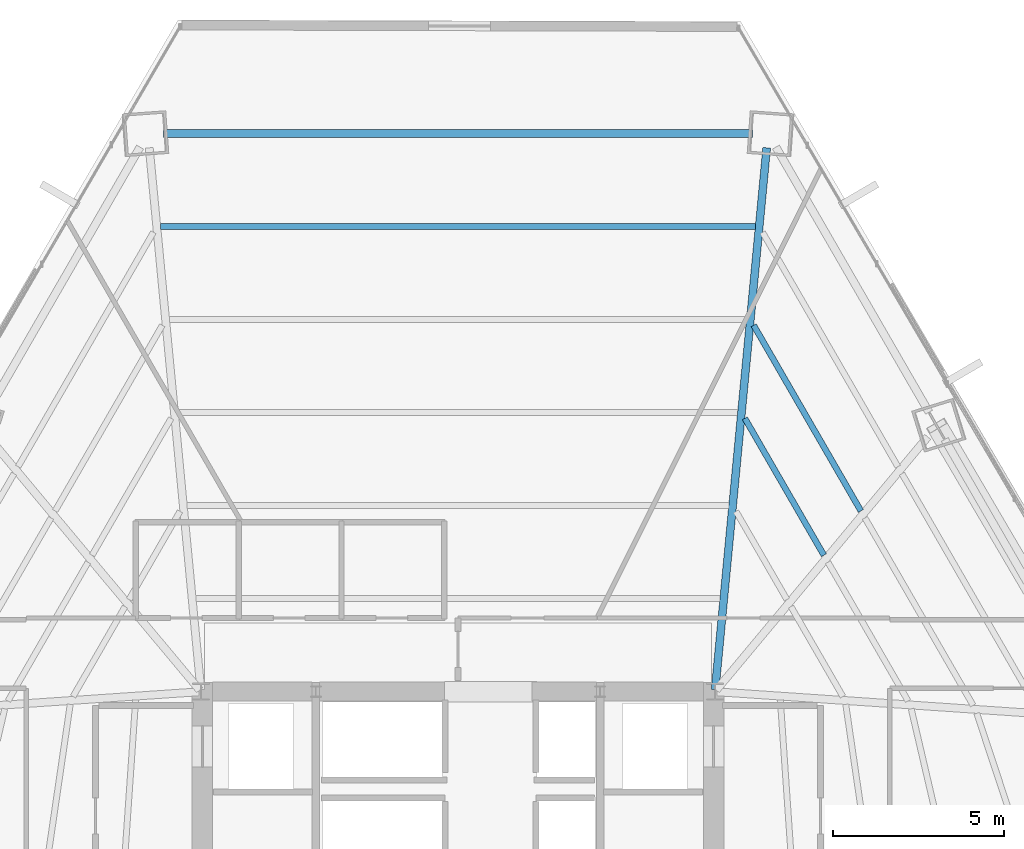
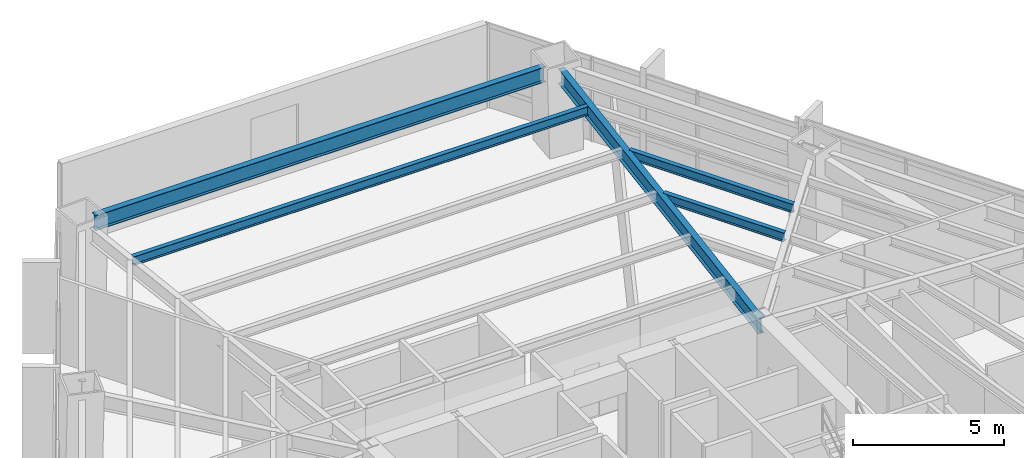
# One storey, part 25 of 33: 5 beams.
"""IFC4 building model written with IfcOpenShell, lengths in metres."""

from ifc_helpers import new_model, si_unit, direction, frame, origin, origin_2d, place, context, subcontext, project, spatial, i_section, extrude, source, transform, mapped, material, material_profile, profile_set, type_object, type_shapes, element, save


model = new_model("IFC4")

# Units and contexts
model_context = context("Model", 3, precision=1e-05, world=origin(), true_north=direction((0.0, 1.0)))
body_context = subcontext(model_context, "Body", "Model", "MODEL_VIEW")
ifc_project = project(units=[si_unit("LENGTHUNIT", "METRE"), si_unit("AREAUNIT", "SQUARE_METRE"), si_unit("VOLUMEUNIT", "CUBIC_METRE"), si_unit("PLANEANGLEUNIT", "RADIAN"), si_unit("MASSUNIT", "GRAM", prefix="KILO")], contexts=[model_context])

# Site, building, storey
site_placement = place(None, origin())
site = spatial("IfcSite", under=ifc_project, at=site_placement, CompositionType="ELEMENT")
building_placement = place(site_placement, origin())
building = spatial("IfcBuilding", under=site, at=building_placement, Name="Caelisora Broadcast Tower", CompositionType="ELEMENT")
storey_placement = place(building_placement, frame((0.0, 0.0, 34.89990234375)))
storey = spatial("IfcBuildingStorey", under=building, at=storey_placement, Name="L08", CompositionType="ELEMENT", Elevation=34.89990234375)

# Beams
ifc_material = material(Name="Steel Grade 350 (AS/NZS 3679.1)", Category="steel")
ifc_material_profile_1 = material_profile(ifc_material, i_section(OverallWidth=0.22900390625, OverallDepth=0.611572265625, WebThickness=0.011962890625, FlangeThickness=0.01953125, at=origin_2d()), Name="Steel Grade 350 (AS/NZS 3679.1)")
ifc_profile_set_1 = profile_set([ifc_material_profile_1], Name="Steel Grade 350 (AS/NZS 3679.1)")
beam_type_1 = type_object("IfcBeamType", Name="PG03", PredefinedType="BEAM", material=ifc_profile_set_1)
shared_shape_1 = source(origin(), body_context, "Body", "SweptSolid", [
    extrude(i_section(OverallWidth=0.22900390625, OverallDepth=0.611572265625, WebThickness=0.011962890625, FlangeThickness=0.01953125, at=origin_2d()), origin(), (0.0, 0.0, 1.0), 17.1796875),
])
type_shapes(beam_type_1, [shared_shape_1])
beam_1_placement = place(storey_placement, frame((46.58984375, 46.291259765625, 3.09423828125), z_axis=(-1.0, 0.0, 0.0), x_axis=(0.0, -1.0, 0.0)))
element("IfcBeam", 1, at=beam_1_placement, inside=storey, type_object=beam_type_1, Name="L08 beam PG03", PredefinedType="BEAM", context=body_context, shape_type="MappedRepresentation", body=[
    mapped(shared_shape_1, transform((0.0, 0.0, 0.0), scale=1.0)),
])
ifc_material_profile_2 = material_profile(ifc_material, i_section(OverallWidth=0.22802734375, OverallDepth=0.602294921875, WebThickness=0.010498046875, FlangeThickness=0.014892578125, at=origin_2d()), Name="Steel Grade 350 (AS/NZS 3679.1)")
ifc_profile_set_2 = profile_set([ifc_material_profile_2], Name="Steel Grade 350 (AS/NZS 3679.1)")
beam_type_2 = type_object("IfcBeamType", Name="PG04", PredefinedType="BEAM", material=ifc_profile_set_2)
shared_shape_2 = source(origin(), body_context, "Body", "SweptSolid", [
    extrude(i_section(OverallWidth=0.22802734375, OverallDepth=0.602294921875, WebThickness=0.010498046875, FlangeThickness=0.014892578125, at=origin_2d()), origin(), (0.0, 0.0, 1.0), 15.884765625),
])
type_shapes(beam_type_2, [shared_shape_2])
beam_2_placement = place(storey_placement, frame((45.505615234375, 30.059814453125, 3.098876953125), z_axis=(0.094706100027, 0.995505276037, 0.0), x_axis=(-0.995505276037, 0.094706100027, 0.0)))
element("IfcBeam", 2, at=beam_2_placement, inside=storey, type_object=beam_type_2, Name="L08 beam PG04", PredefinedType="BEAM", context=body_context, shape_type="MappedRepresentation", body=[
    mapped(shared_shape_2, transform((0.0, 0.0, 0.0), scale=1.0)),
])
ifc_material_profile_3 = material_profile(ifc_material, i_section(OverallWidth=0.172119140625, OverallDepth=0.358642578125, WebThickness=0.008056640625, FlangeThickness=0.012939453125, at=origin_2d()), Name="Steel Grade 350 (AS/NZS 3679.1)")
ifc_profile_set_3 = profile_set([ifc_material_profile_3], Name="Steel Grade 350 (AS/NZS 3679.1)")
beam_type_3 = type_object("IfcBeamType", Name="SB02", PredefinedType="JOIST", material=ifc_profile_set_3)
shared_shape_3 = source(origin(), body_context, "Body", "SweptSolid", [
    extrude(i_section(OverallWidth=0.172119140625, OverallDepth=0.358642578125, WebThickness=0.008056640625, FlangeThickness=0.012939453125, at=origin_2d()), origin(), (0.0, 0.0, 1.0), 17.3603515625),
])
beam_3_placement = place(storey_placement, frame((46.68017578125, 43.576171875, 3.220703125), z_axis=(-1.0, 0.0, 0.0), x_axis=(0.0, -1.0, 0.0)))
element("IfcBeam", 3, at=beam_3_placement, inside=storey, type_object=beam_type_3, Name="L08 beam SB02", PredefinedType="JOIST", context=body_context, shape_type="MappedRepresentation", body=[
    mapped(shared_shape_3, transform((0.0, 0.0, 0.0), scale=1.0)),
])
shared_shape_4 = source(origin(), body_context, "Body", "SweptSolid", [
    extrude(i_section(OverallWidth=0.172119140625, OverallDepth=0.358642578125, WebThickness=0.008056640625, FlangeThickness=0.012939453125, at=origin_2d()), origin(), (0.0, 0.0, 1.0), 4.61474609375),
])
beam_4_placement = place(storey_placement, frame((48.67919921875, 33.981689453125, 3.220703125), z_axis=(-0.500053701522, 0.865994396976, 0.0), x_axis=(-0.865994396976, -0.500053701522, 0.0)))
element("IfcBeam", 4, at=beam_4_placement, inside=storey, type_object=beam_type_3, Name="L08 beam SB02", PredefinedType="JOIST", context=body_context, shape_type="MappedRepresentation", body=[
    mapped(shared_shape_4, transform((0.0, 0.0, 0.0), scale=1.0)),
])
shared_shape_5 = source(origin(), body_context, "Body", "SweptSolid", [
    extrude(i_section(OverallWidth=0.172119140625, OverallDepth=0.358642578125, WebThickness=0.008056640625, FlangeThickness=0.012939453125, at=origin_2d()), origin(), (0.0, 0.0, 1.0), 6.2568359375),
])
type_shapes(beam_type_3, [shared_shape_3, shared_shape_4, shared_shape_5])
beam_5_placement = place(storey_placement, frame((49.758544921875, 35.274658203125, 3.220703125), z_axis=(-0.500008432076, 0.866020535468, 0.0), x_axis=(-0.866020535468, -0.500008432076, 0.0)))
element("IfcBeam", 5, at=beam_5_placement, inside=storey, type_object=beam_type_3, Name="L08 beam SB02", PredefinedType="JOIST", context=body_context, shape_type="MappedRepresentation", body=[
    mapped(shared_shape_5, transform((0.0, 0.0, 0.0), scale=1.0)),
])

save(model, "model.ifc")
